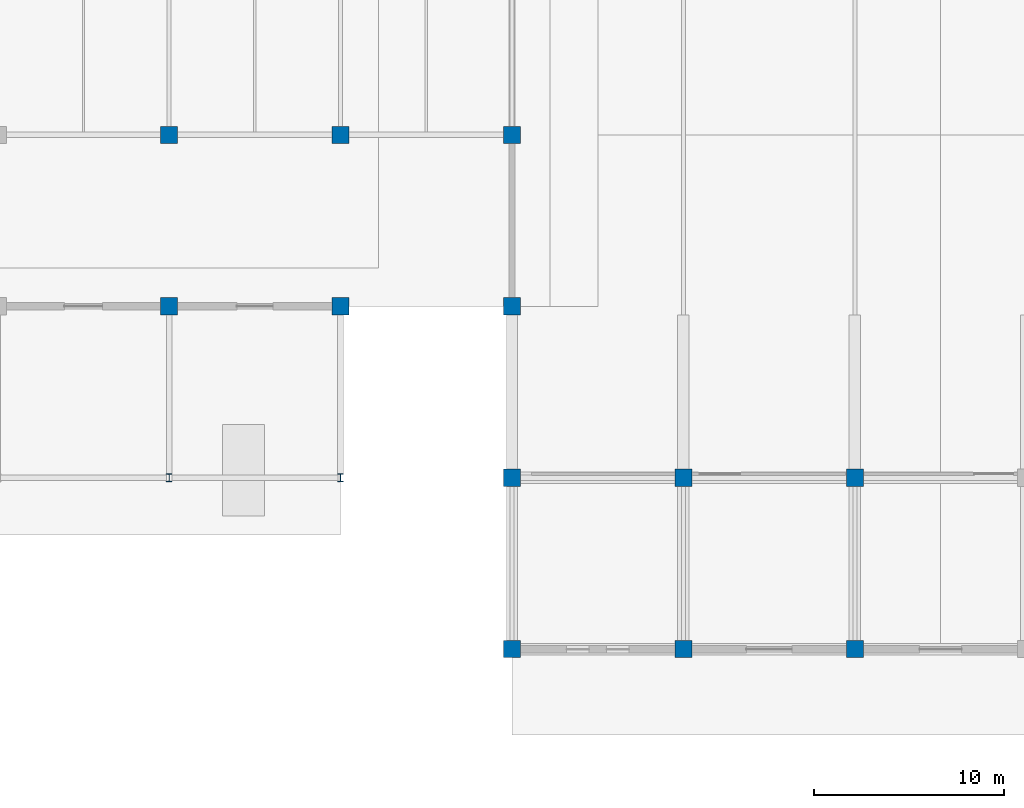
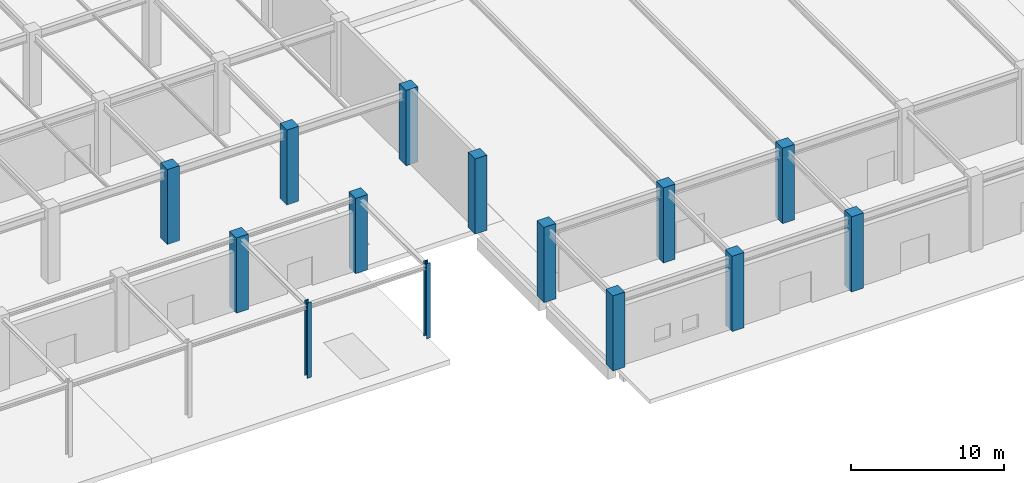
# One storey, part 4 of 91: 14 columns.
"""IFC4 building model written with IfcOpenShell, lengths in metres."""

from ifc_helpers import new_model, si_unit, direction, frame, origin, origin_2d, place, context, subcontext, project, spatial, rectangle, i_section, extrude, material, material_profile, profile_set, type_object, element, save


model = new_model("IFC4")

# Units and contexts
model_context = context("Model", 3, precision=1e-05, world=origin(), true_north=direction((0.0, 1.0)))
body_context = subcontext(model_context, "Body", "Model", "MODEL_VIEW")
ifc_project = project(units=[si_unit("LENGTHUNIT", "METRE"), si_unit("AREAUNIT", "SQUARE_METRE"), si_unit("VOLUMEUNIT", "CUBIC_METRE"), si_unit("PLANEANGLEUNIT", "RADIAN"), si_unit("MASSUNIT", "GRAM", prefix="KILO")], contexts=[model_context])

# Site, building, storey
site_placement = place(None, origin())
site = spatial("IfcSite", under=ifc_project, at=site_placement, CompositionType="ELEMENT")
building_placement = place(site_placement, origin())
building = spatial("IfcBuilding", under=site, at=building_placement, Name="Dornveld Trade and Exhibition Forum", CompositionType="ELEMENT")
storey_placement = place(building_placement, origin())
storey = spatial("IfcBuildingStorey", under=building, at=storey_placement, Name="L00", CompositionType="ELEMENT", Elevation=0.0)

# Columns
ifc_material_1 = material(Name="Precast concrete C50/60", Category="concrete")
ifc_material_profile_1 = material_profile(ifc_material_1, rectangle(XDim=0.89990234375, YDim=0.89990234375, at=origin_2d()), Name="PC-COL 900x900")
ifc_profile_set_1 = profile_set([ifc_material_profile_1], Name="Precast concrete C50/60")
column_type_1 = type_object("IfcColumnType", Name="COL-PC900", PredefinedType="COLUMN", material=ifc_profile_set_1)
for number, where, z_axis, x_axis, name in (
    (1, (135.0, 18.0, 0.0), (0.0, 0.0, 1.0), (1.0, 0.0, 0.0), "L00 column (135.0, 18.0)"),
    (2, (135.0, 27.0, 0.0), (0.0, 0.0, 1.0), (1.0, 0.0, 0.0), "L00 column (135.0, 27.0)"),
    (3, (144.0, 18.0, 0.0), (0.0, 0.0, 1.0), (1.0, 0.0, 0.0), "L00 column (144.0, 18.0)"),
    (4, (144.0, 27.0, 0.0), (0.0, 0.0, 1.0), (1.0, 0.0, 0.0), "L00 column (144.0, 27.0)"),
    (5, (153.0, 0.0, 0.0), (0.0, 0.0, 1.0), (1.0, 0.0, 0.0), "L00 column (153.0, 0.0)"),
    (6, (153.0, 9.0, 0.0), (0.0, 0.0, 1.0), (1.0, 0.0, 0.0), "L00 column (153.0, 9.0)"),
    (7, (153.0, 18.0, 0.0), (0.0, 0.0, 1.0), (1.0, 0.0, 0.0), "L00 column (153.0, 18.0)"),
    (8, (153.0, 27.0, 0.0), (0.0, 0.0, 1.0), (1.0, 0.0, 0.0), "L00 column (153.0, 27.0)"),
    (9, (162.0, 0.0, 0.0), (0.0, 0.0, 1.0), (1.0, 0.0, 0.0), "L00 column (162.0, 0.0)"),
    (10, (162.0, 9.0, 0.0), (0.0, 0.0, 1.0), (1.0, 0.0, 0.0), "L00 column (162.0, 9.0)"),
    (11, (171.0, 0.0, 0.0), (0.0, 0.0, 1.0), (1.0, 0.0, 0.0), "L00 column (171.0, 0.0)"),
    (12, (171.0, 9.0, 0.0), (0.0, 0.0, 1.0), (1.0, 0.0, 0.0), "L00 column (171.0, 9.0)"),
):
    element("IfcColumn", number, at=place(storey_placement, frame(where, z_axis=z_axis, x_axis=x_axis)), inside=storey, type_object=column_type_1, Name=name, PredefinedType="COLUMN", context=body_context, shape_type="SweptSolid", body=[
        extrude(rectangle(XDim=0.89990234375, YDim=0.89990234375, at=origin_2d()), origin(), (0.0, 0.0, 1.0), 6.0),
    ])
ifc_material_2 = material(Name="Steel S355J2", Category="steel")
ifc_material_profile_2 = material_profile(ifc_material_2, i_section(OverallWidth=0.300048828125, OverallDepth=0.39990234375, WebThickness=0.013427734375, FlangeThickness=0.02392578125, FilletRadius=0.027099609375, at=origin_2d()), Name="HEB 400")
ifc_profile_set_2 = profile_set([ifc_material_profile_2], Name="Steel S355J2")
column_type_2 = type_object("IfcColumnType", Name="COL-STL-HEB400", PredefinedType="COLUMN", material=ifc_profile_set_2)
for number, where, z_axis, x_axis, name in (
    (13, (135.0, 9.0, 0.0), (0.0, 0.0, 1.0), (1.0, 0.0, 0.0), "L00 column (135.0, 9.0)"),
    (14, (144.0, 9.0, 0.0), (0.0, 0.0, 1.0), (1.0, 0.0, 0.0), "L00 column (144.0, 9.0)"),
):
    element("IfcColumn", number, at=place(storey_placement, frame(where, z_axis=z_axis, x_axis=x_axis)), inside=storey, type_object=column_type_2, Name=name, PredefinedType="COLUMN", context=body_context, shape_type="SweptSolid", body=[
        extrude(i_section(OverallWidth=0.300048828125, OverallDepth=0.39990234375, WebThickness=0.013427734375, FlangeThickness=0.02392578125, FilletRadius=0.027099609375, at=origin_2d()), origin(), (0.0, 0.0, 1.0), 6.0),
    ])

save(model, "model.ifc")
